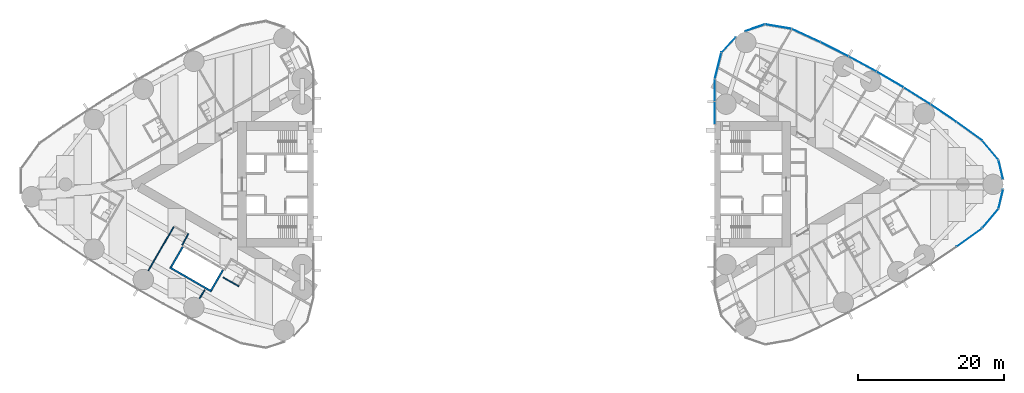
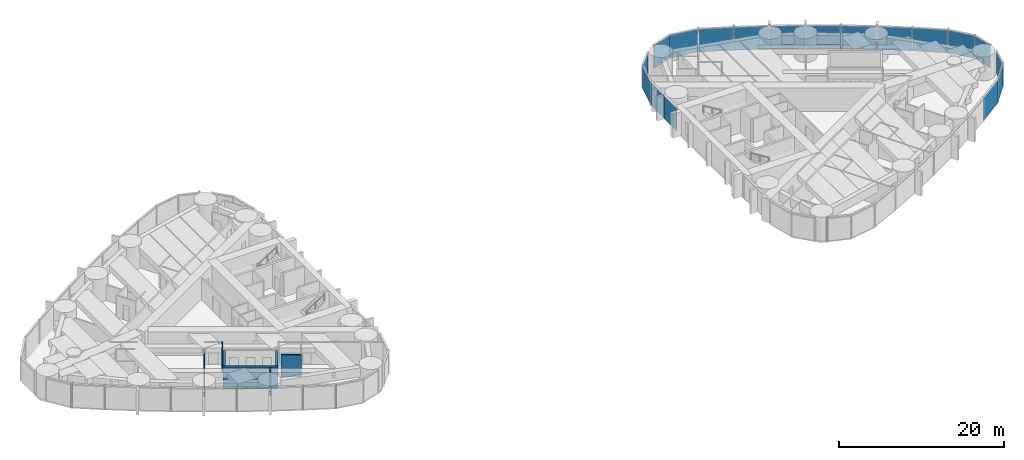
# One storey, part 11 of 19: 18 plates, 7 walls, 3 elements without a shape of their own.
"""IFC4 building model written with IfcOpenShell, lengths in metres."""

from ifc_helpers import new_model, si_unit, direction, frame, frame_2d, origin, origin_2d, place, context, subcontext, project, spatial, rectangle, extrude, material, layer, layer_set, type_object, element, aggregate, save


model = new_model("IFC4")

# Units and contexts
model_context = context("Model", 3, precision=1e-05, world=origin(), true_north=direction((0.0, 1.0)))
body_context = subcontext(model_context, "Body", "Model", "MODEL_VIEW")
ifc_project = project(units=[si_unit("LENGTHUNIT", "METRE"), si_unit("AREAUNIT", "SQUARE_METRE"), si_unit("VOLUMEUNIT", "CUBIC_METRE"), si_unit("PLANEANGLEUNIT", "RADIAN"), si_unit("MASSUNIT", "GRAM", prefix="KILO")], contexts=[model_context])

# Site, building, storey
site_placement = place(None, origin())
site = spatial("IfcSite", under=ifc_project, at=site_placement, CompositionType="ELEMENT")
building_placement = place(site_placement, origin())
building = spatial("IfcBuilding", under=site, at=building_placement, Name="Lancet Gate Hotel", CompositionType="ELEMENT")
storey_placement = place(building_placement, frame((0.0, 0.0, 198.300048828125)))
storey = spatial("IfcBuildingStorey", under=building, at=storey_placement, Name="L53", CompositionType="ELEMENT", Elevation=198.300048828125)

# Curtain wall, plates
ifc_material_1 = material(Name="Aluminium curtain wall", Category="aluminium")
curtain_wall_type = type_object("IfcCurtainWallType", Name="Tower unitised curtain wall", PredefinedType="USERDEFINED", material=ifc_material_1)
curtain_wall_1_placement = place(storey_placement, origin())
curtain_wall_1 = element("IfcCurtainWall", 1, at=curtain_wall_1_placement, inside=storey, type_object=curtain_wall_type, Name="T2 L53 curtain wall 2", ObjectType="UNITISED CURTAIN WALL", PredefinedType="USERDEFINED")
ifc_material_2 = material(Name="Glass double glazed unit 8-16-6", Category="glass")
ifc_layer_1 = layer(ifc_material_2, 0.030029296875)
ifc_layer_set_1 = layer_set([ifc_layer_1], Name="Vision panel double glazed")
plate_type = type_object("IfcPlateType", Name="Vision panel double glazed", PredefinedType="CURTAIN_PANEL", material=ifc_layer_set_1)
plate_1_placement = place(storey_placement, frame((62.417236328125, -7.279541015625, 0.0), z_axis=(0.0, 0.0, 1.0), x_axis=(0.810891442127, 0.585196607206, 0.0)))
plate_1 = element("IfcPlate", 2, at=plate_1_placement, type_object=plate_type, Name="T2 L53 curtain wall 2 panel 9", PredefinedType="CURTAIN_PANEL", context=body_context, shape_type="SweptSolid", body=[
    extrude(rectangle(XDim=4.26904296875, YDim=0.030029296875, at=origin_2d()), origin(), (0.0, 0.0, 1.0), 3.35009765625),
])
plate_2_placement = place(storey_placement, frame((65.283935546875, -4.68701171875, 0.0), z_axis=(0.0, 0.0, 1.0), x_axis=(0.642198636854, 0.766538264422, 0.0)))
plate_2 = element("IfcPlate", 3, at=plate_2_placement, type_object=plate_type, Name="T2 L53 curtain wall 2 panel 10", PredefinedType="CURTAIN_PANEL", context=body_context, shape_type="SweptSolid", body=[
    extrude(rectangle(XDim=3.390380859375, YDim=0.030029296875, at=origin_2d()), origin(), (0.0, 0.0, 1.0), 3.35009765625),
])
plate_3_placement = place(storey_placement, frame((66.710693359375, -2.0234375, 0.0), z_axis=(0.0, 0.0, 1.0), x_axis=(0.230366568544, 0.973103922558, 0.0)))
plate_3 = element("IfcPlate", 4, at=plate_3_placement, type_object=plate_type, Name="T2 L53 curtain wall 2 panel 11", PredefinedType="CURTAIN_PANEL", context=body_context, shape_type="SweptSolid", body=[
    extrude(rectangle(XDim=2.687255859375, YDim=0.030029296875, at=origin_2d()), origin(), (0.0, 0.0, 1.0), 3.35009765625),
])
aggregate(curtain_wall_1, [plate_1, plate_2, plate_3])

curtain_wall_2_placement = place(storey_placement, origin())
curtain_wall_2 = element("IfcCurtainWall", 5, at=curtain_wall_2_placement, inside=storey, type_object=curtain_wall_type, Name="T2 L53 curtain wall 3", ObjectType="UNITISED CURTAIN WALL", PredefinedType="USERDEFINED")
plate_4_placement = place(storey_placement, frame((66.710693359375, 2.0234375, 0.0), z_axis=(0.0, 0.0, 1.0), x_axis=(-0.230366568544, 0.973103922558, 0.0)))
plate_4 = element("IfcPlate", 6, at=plate_4_placement, type_object=plate_type, Name="T2 L53 curtain wall 3 panel 1", PredefinedType="CURTAIN_PANEL", context=body_context, shape_type="SweptSolid", body=[
    extrude(rectangle(XDim=2.687255859375, YDim=0.030029296875, at=origin_2d()), origin(), (0.0, 0.0, 1.0), 3.35009765625),
])
plate_5_placement = place(storey_placement, frame((65.283935546875, 4.68701171875, 0.0), z_axis=(0.0, 0.0, 1.0), x_axis=(-0.642198636854, 0.766538264422, 0.0)))
plate_5 = element("IfcPlate", 7, at=plate_5_placement, type_object=plate_type, Name="T2 L53 curtain wall 3 panel 2", PredefinedType="CURTAIN_PANEL", context=body_context, shape_type="SweptSolid", body=[
    extrude(rectangle(XDim=3.390380859375, YDim=0.030029296875, at=origin_2d()), origin(), (0.0, 0.0, 1.0), 3.35009765625),
])
plate_6_placement = place(storey_placement, frame((62.417236328125, 7.279541015625, 0.0), z_axis=(0.0, 0.0, 1.0), x_axis=(-0.810891442127, 0.585196607206, 0.0)))
plate_6 = element("IfcPlate", 8, at=plate_6_placement, type_object=plate_type, Name="T2 L53 curtain wall 3 panel 3", PredefinedType="CURTAIN_PANEL", context=body_context, shape_type="SweptSolid", body=[
    extrude(rectangle(XDim=4.26904296875, YDim=0.030029296875, at=origin_2d()), origin(), (0.0, 0.0, 1.0), 3.35009765625),
])
plate_7_placement = place(storey_placement, frame((58.863525390625, 9.75927734375, 0.0), z_axis=(0.0, 0.0, 1.0), x_axis=(-0.829038793948, 0.559191092677, 0.0)))
plate_7 = element("IfcPlate", 9, at=plate_7_placement, type_object=plate_type, Name="T2 L53 curtain wall 3 panel 4", PredefinedType="CURTAIN_PANEL", context=body_context, shape_type="SweptSolid", body=[
    extrude(rectangle(XDim=4.26904296875, YDim=0.030029296875, at=origin_2d()), origin(), (0.0, 0.0, 1.0), 3.35009765625),
])
plate_8_placement = place(storey_placement, frame((55.233154296875, 12.125244140625, 0.0), z_axis=(0.0, 0.0, 1.0), x_axis=(-0.846352453444, 0.532623248225, 0.0)))
plate_8 = element("IfcPlate", 10, at=plate_8_placement, type_object=plate_type, Name="T2 L53 curtain wall 3 panel 5", PredefinedType="CURTAIN_PANEL", context=body_context, shape_type="SweptSolid", body=[
    extrude(rectangle(XDim=4.26904296875, YDim=0.030029296875, at=origin_2d()), origin(), (0.0, 0.0, 1.0), 3.35009765625),
])
plate_9_placement = place(storey_placement, frame((51.529296875, 14.374755859375, 0.0), z_axis=(0.0, 0.0, 1.0), x_axis=(-0.862815009772, 0.505519790822, 0.0)))
plate_9 = element("IfcPlate", 11, at=plate_9_placement, type_object=plate_type, Name="T2 L53 curtain wall 3 panel 6", PredefinedType="CURTAIN_PANEL", context=body_context, shape_type="SweptSolid", body=[
    extrude(rectangle(XDim=4.26904296875, YDim=0.030029296875, at=origin_2d()), origin(), (0.0, 0.0, 1.0), 3.35009765625),
])
plate_10_placement = place(storey_placement, frame((47.756103515625, 16.505859375, 0.0), z_axis=(0.0, 0.0, 1.0), x_axis=(-0.878409907967, 0.477907976063, 0.0)))
plate_10 = element("IfcPlate", 12, at=plate_10_placement, type_object=plate_type, Name="T2 L53 curtain wall 3 panel 7", PredefinedType="CURTAIN_PANEL", context=body_context, shape_type="SweptSolid", body=[
    extrude(rectangle(XDim=4.26904296875, YDim=0.030029296875, at=origin_2d()), origin(), (0.0, 0.0, 1.0), 3.35009765625),
])
plate_11_placement = place(storey_placement, frame((43.917236328125, 18.516357421875, 0.0), z_axis=(0.0, 0.0, 1.0), x_axis=(-0.893121465596, 0.449815570752, 0.0)))
plate_11 = element("IfcPlate", 13, at=plate_11_placement, type_object=plate_type, Name="T2 L53 curtain wall 3 panel 8", PredefinedType="CURTAIN_PANEL", context=body_context, shape_type="SweptSolid", body=[
    extrude(rectangle(XDim=4.26904296875, YDim=0.030029296875, at=origin_2d()), origin(), (0.0, 0.0, 1.0), 3.35009765625),
])
plate_12_placement = place(storey_placement, frame((40.0166015625, 20.40380859375, 0.0), z_axis=(0.0, 0.0, 1.0), x_axis=(-0.906934888522, 0.421270824982, 0.0)))
plate_12 = element("IfcPlate", 14, at=plate_12_placement, type_object=plate_type, Name="T2 L53 curtain wall 3 panel 9", PredefinedType="CURTAIN_PANEL", context=body_context, shape_type="SweptSolid", body=[
    extrude(rectangle(XDim=4.26904296875, YDim=0.030029296875, at=origin_2d()), origin(), (0.0, 0.0, 1.0), 3.35009765625),
])
plate_13_placement = place(storey_placement, frame((36.231689453125, 21.629638671875, 0.0), z_axis=(0.0, 0.0, 1.0), x_axis=(-0.985539649572, 0.169444973729, 0.0)))
plate_13 = element("IfcPlate", 15, at=plate_13_placement, type_object=plate_type, Name="T2 L53 curtain wall 3 panel 10", PredefinedType="CURTAIN_PANEL", context=body_context, shape_type="SweptSolid", body=[
    extrude(rectangle(XDim=3.62744140625, YDim=0.030029296875, at=origin_2d()), origin(), (0.0, 0.0, 1.0), 3.35009765625),
])
plate_14_placement = place(storey_placement, frame((33.02197265625, 21.470703125, 0.0), z_axis=(0.0, 0.0, 1.0), x_axis=(-0.946952368511, -0.321373943827, 0.0)))
plate_14 = element("IfcPlate", 16, at=plate_14_placement, type_object=plate_type, Name="T2 L53 curtain wall 3 panel 11", PredefinedType="CURTAIN_PANEL", context=body_context, shape_type="SweptSolid", body=[
    extrude(rectangle(XDim=2.871337890625, YDim=0.030029296875, at=origin_2d()), origin(), (0.0, 0.0, 1.0), 3.35009765625),
])
aggregate(curtain_wall_2, [plate_4, plate_5, plate_6, plate_7, plate_8, plate_9, plate_10, plate_11, plate_12, plate_13, plate_14])

curtain_wall_3_placement = place(storey_placement, origin())
curtain_wall_3 = element("IfcCurtainWall", 17, at=curtain_wall_3_placement, inside=storey, type_object=curtain_wall_type, Name="T2 L53 curtain wall 4", ObjectType="UNITISED CURTAIN WALL", PredefinedType="USERDEFINED")
plate_15_placement = place(storey_placement, frame((29.4052734375, 19.122314453125, 0.0), z_axis=(0.0, 0.0, 1.0), x_axis=(-0.67883123083, -0.734294327943, 0.0)))
plate_15 = element("IfcPlate", 18, at=plate_15_placement, type_object=plate_type, Name="T2 L53 curtain wall 4 panel 1", PredefinedType="CURTAIN_PANEL", context=body_context, shape_type="SweptSolid", body=[
    extrude(rectangle(XDim=2.87060546875, YDim=0.030029296875, at=origin_2d()), origin(), (0.0, 0.0, 1.0), 3.35009765625),
])
plate_16_placement = place(storey_placement, frame((27.95458984375, 16.2548828125, 0.0), z_axis=(0.0, 0.0, 1.0), x_axis=(-0.246166705764, -0.969227503207, 0.0)))
plate_16 = element("IfcPlate", 19, at=plate_16_placement, type_object=plate_type, Name="T2 L53 curtain wall 4 panel 2", PredefinedType="CURTAIN_PANEL", context=body_context, shape_type="SweptSolid", body=[
    extrude(rectangle(XDim=3.62744140625, YDim=0.030029296875, at=origin_2d()), origin(), (0.0, 0.0, 1.0), 3.35009765625),
])
plate_17_placement = place(storey_placement, frame((27.5, 12.899169921875, 0.0), z_axis=(0.0, 0.0, 1.0), x_axis=(0.0, -1.0, 0.0)))
plate_17 = element("IfcPlate", 20, at=plate_17_placement, type_object=plate_type, Name="T2 L53 curtain wall 4 panel 3", PredefinedType="CURTAIN_PANEL", context=body_context, shape_type="SweptSolid", body=[
    extrude(rectangle(XDim=3.06787109375, YDim=0.030029296875, at=origin_2d()), origin(), (0.0, 0.0, 1.0), 3.35009765625),
])
plate_18_placement = place(storey_placement, frame((27.5, 9.766357421875, 0.0), z_axis=(0.0, 0.0, 1.0), x_axis=(0.0, -1.0, 0.0)))
plate_18 = element("IfcPlate", 21, at=plate_18_placement, type_object=plate_type, Name="T2 L53 curtain wall 4 panel 4", PredefinedType="CURTAIN_PANEL", context=body_context, shape_type="SweptSolid", body=[
    extrude(rectangle(XDim=3.06787109375, YDim=0.030029296875, at=origin_2d()), origin(), (0.0, 0.0, 1.0), 3.35009765625),
])
aggregate(curtain_wall_3, [plate_15, plate_16, plate_17, plate_18])

# Walls
ifc_material_3 = material(Name="Moisture resistant board partition")
ifc_layer_2 = layer(ifc_material_3, 0.14990234375)
ifc_layer_set_2 = layer_set([ifc_layer_2], Name="Bathroom wall 150")
wall_type_1 = type_object("IfcWallType", Name="Bathroom wall 150", PredefinedType="PARTITIONING", material=ifc_layer_set_2)
wall_1_placement = place(storey_placement, frame((-37.738037109375, -13.9892578125, 0.0), z_axis=(0.0, 0.0, 1.0), x_axis=(-0.86604923931, 0.499958713387, 0.0)))
element("IfcWall", 22, at=wall_1_placement, inside=storey, type_object=wall_type_1, Name="T1 bathroom wall 150 L53", PredefinedType="PARTITIONING", context=body_context, shape_type="SweptSolid", body=[
    extrude(rectangle(XDim=2.474853515625, YDim=0.14990234375, at=frame_2d((1.2373046875, 0.0))), origin(), (0.0, 0.0, 1.0), 3.25),
])
ifc_material_4 = material(Name="Gypsum board partition")
ifc_layer_3 = layer(ifc_material_4, 0.25)
ifc_layer_set_3 = layer_set([ifc_layer_3], Name="Lift shaft partition 250")
wall_type_2 = type_object("IfcWallType", Name="Lift shaft partition 250", PredefinedType="PARTITIONING", material=ifc_layer_set_3)
wall_2_placement = place(storey_placement, frame((-41.482421875, -14.685791015625, 0.0), z_axis=(0.0, 0.0, 1.0), x_axis=(-0.86603344179, 0.499986077507, 0.0)))
element("IfcWall", 23, at=wall_2_placement, inside=storey, type_object=wall_type_2, Name="T1 lift shaft wall HL L53", PredefinedType="PARTITIONING", context=body_context, shape_type="SweptSolid", body=[
    extrude(rectangle(XDim=6.600341796875, YDim=0.25, at=frame_2d((3.30029296875, 0.0))), origin(), (0.0, 0.0, 1.0), 3.25),
])
for number, where, z_axis, x_axis, name in (
    (24, (-39.92822265625, -11.742919921875, 0.0), (0.0, 0.0, 1.0), (-0.499929347863, -0.866066190972, 0.0), "T1 lift shaft wall HL L53"),
    (25, (-45.427734375, -8.568115234375, 0.0), (0.0, 0.0, 1.0), (-0.499929347863, -0.866066190972, 0.0), "T1 lift shaft wall HL L53"),
):
    element("IfcWall", number, at=place(storey_placement, frame(where, z_axis=z_axis, x_axis=x_axis)), inside=storey, type_object=wall_type_2, Name=name, PredefinedType="PARTITIONING", context=body_context, shape_type="SweptSolid", body=[
        extrude(rectangle(XDim=3.20068359375, YDim=0.25, at=frame_2d((1.600341796875, 0.0))), origin(), (0.0, 0.0, 1.0), 3.25),
    ])
ifc_material_5 = material(Name="Gypsum board partition")
ifc_layer_4 = layer(ifc_material_5, 0.14990234375)
ifc_layer_set_4 = layer_set([ifc_layer_4], Name="Party wall 150")
wall_type_3 = type_object("IfcWallType", Name="Party wall 150", PredefinedType="PARTITIONING", material=ifc_layer_set_4)
wall_3_placement = place(storey_placement, frame((-46.6787109375, -5.8251953125, 0.0), z_axis=(0.0, 0.0, 1.0), x_axis=(-0.500006839597, -0.866021454905, 0.0)))
element("IfcWall", 26, at=wall_3_placement, inside=storey, type_object=wall_type_3, Name="T1 party wall 150 L53", PredefinedType="PARTITIONING", context=body_context, shape_type="SweptSolid", body=[
    extrude(rectangle(XDim=6.9111328125, YDim=0.14990234375, at=frame_2d((3.45556640625, 0.0))), origin(), (0.0, 0.0, 1.0), 2.300048828125),
])
wall_4_placement = place(storey_placement, frame((-42.429443359375, -14.45654296875, 0.0), z_axis=(0.0, 0.0, 1.0), x_axis=(-0.5000578829, -0.865991982497, 0.0)))
element("IfcWall", 27, at=wall_4_placement, inside=storey, type_object=wall_type_3, Name="T1 party wall 150 L53", PredefinedType="PARTITIONING", context=body_context, shape_type="SweptSolid", body=[
    extrude(rectangle(XDim=1.406982421875, YDim=0.14990234375, at=frame_2d((0.70361328125, 0.0))), origin(), (0.0, 0.0, 1.0), 3.25),
])
ifc_material_6 = material(Name="Gypsum board partition")
ifc_layer_5 = layer(ifc_material_6, 0.14990234375)
ifc_layer_set_5 = layer_set([ifc_layer_5], Name="Service room wall 150")
wall_type_4 = type_object("IfcWallType", Name="Service room wall 150", PredefinedType="PARTITIONING", material=ifc_layer_set_5)
wall_5_placement = place(storey_placement, frame((-44.652099609375, -6.764404296875, 0.0), z_axis=(0.0, 0.0, 1.0), x_axis=(-0.485424724123, -0.874278466629, 0.0)))
element("IfcWall", 28, at=wall_5_placement, inside=storey, type_object=wall_type_4, Name="T1 service room wall 150 L53", PredefinedType="PARTITIONING", context=body_context, shape_type="SweptSolid", body=[
    extrude(rectangle(XDim=1.80517578125, YDim=0.14990234375, at=frame_2d((0.902587890625, 0.0))), origin(), (0.0, 0.0, 1.0), 3.25),
])

save(model, "model.ifc")
